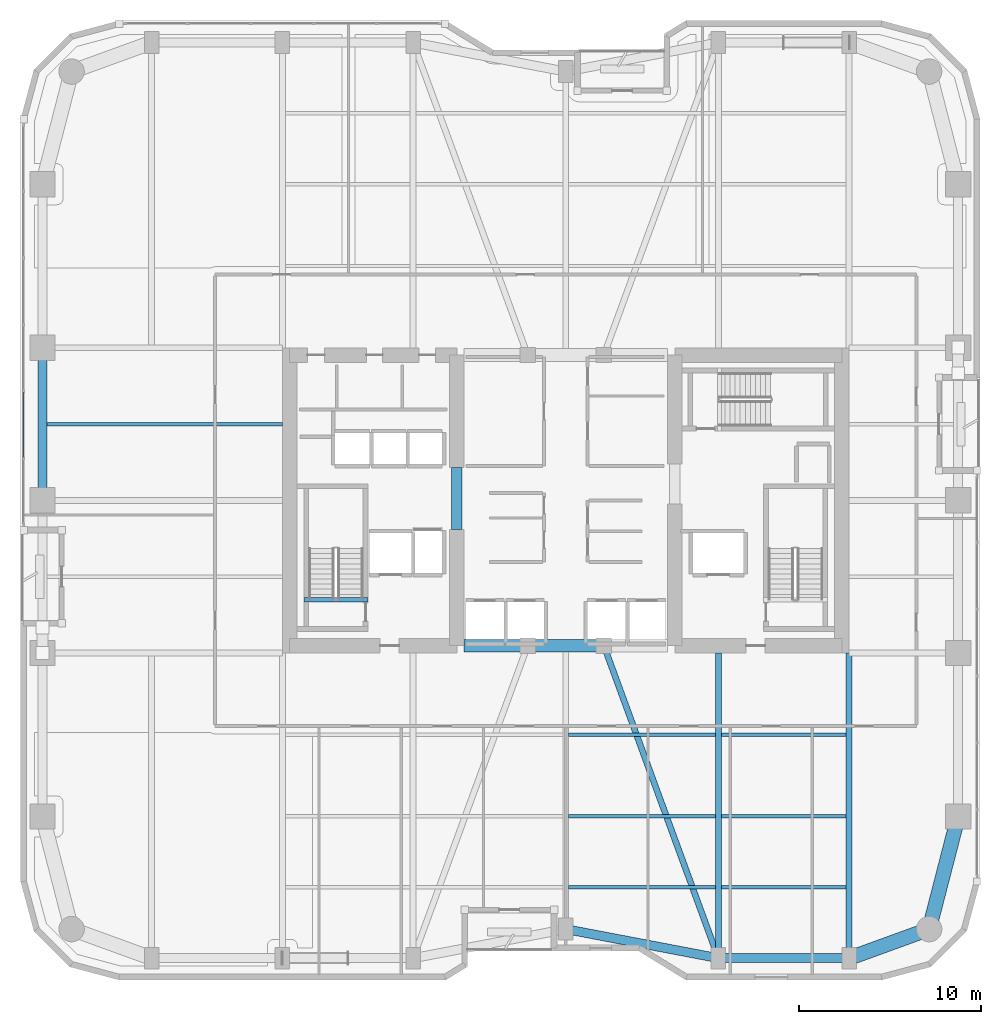
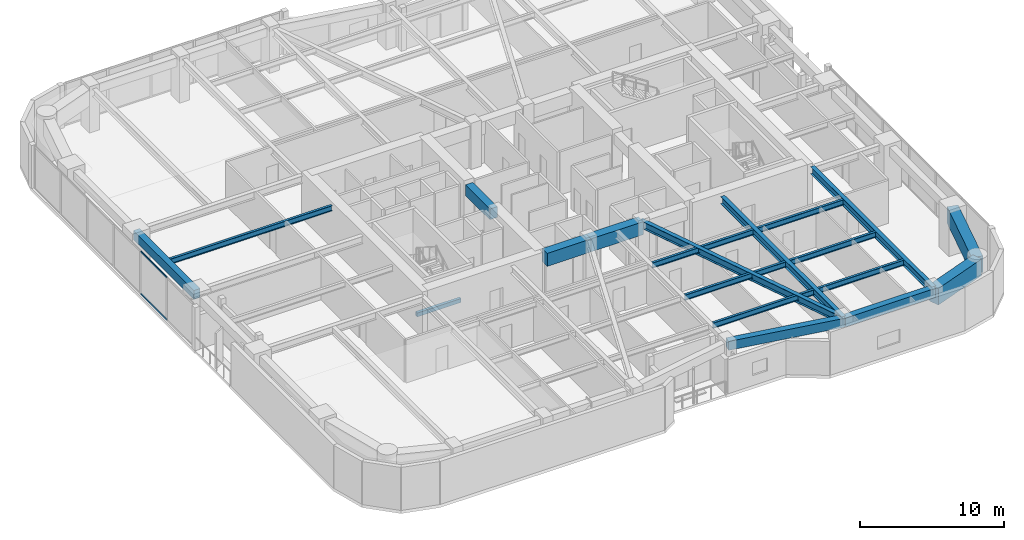
# One storey, part 3 of 24: 19 beams, 2 members, 1 element without a shape of its own.
"""IFC4 building model written with IfcOpenShell, lengths in metres."""

from ifc_helpers import new_model, si_unit, direction, frame, origin, origin_2d, place, context, subcontext, project, spatial, rectangle, hollow_rectangle, i_section, extrude, material, layer, layer_set, material_profile, profile_set, type_object, element, aggregate, save


model = new_model("IFC4")

# Units and contexts
model_context = context("Model", 3, precision=1e-05, world=origin(), true_north=direction((0.0, 1.0)))
body_context = subcontext(model_context, "Body", "Model", "MODEL_VIEW")
ifc_project = project(units=[si_unit("LENGTHUNIT", "METRE"), si_unit("AREAUNIT", "SQUARE_METRE"), si_unit("VOLUMEUNIT", "CUBIC_METRE"), si_unit("PLANEANGLEUNIT", "RADIAN"), si_unit("MASSUNIT", "GRAM", prefix="KILO")], contexts=[model_context])

# Site, building, storey
site_placement = place(None, origin())
site = spatial("IfcSite", under=ifc_project, at=site_placement, CompositionType="ELEMENT")
building_placement = place(site_placement, origin())
building = spatial("IfcBuilding", under=site, at=building_placement, Name="Kiyonajd Concourse Tower", CompositionType="ELEMENT")
storey_placement = place(building_placement, frame((0.0, 0.0, 117.0)))
storey = spatial("IfcBuildingStorey", under=building, at=storey_placement, Name="L30", CompositionType="ELEMENT", Elevation=117.0)

# Beams
ifc_material_1 = material(Name="Concrete C70/85", Category="concrete")
ifc_material_profile_1 = material_profile(ifc_material_1, rectangle(XDim=0.699951171875, YDim=1.10009765625, at=origin_2d()), Name="RCBM-700x1100")
ifc_profile_set_1 = profile_set([ifc_material_profile_1], Name="Concrete C70/85")
beam_type_1 = type_object("IfcBeamType", Name="BM-COUP-1100", PredefinedType="LINTEL", material=ifc_profile_set_1)
beam_1_placement = place(storey_placement, frame((42.39990234375, 28.0, 3.090087890625), z_axis=(1.0, 0.0, 0.0), x_axis=(0.0, 1.0, 0.0)))
element("IfcBeam", 1, at=beam_1_placement, inside=storey, type_object=beam_type_1, Name="L30 Core Coupling Beam S1", PredefinedType="LINTEL", context=body_context, shape_type="SweptSolid", body=[
    extrude(rectangle(XDim=0.699951171875, YDim=1.10009765625, at=origin_2d()), origin(), (0.0, 0.0, 1.0), 3.5),
])
beam_2_placement = place(storey_placement, frame((45.89990234375, 28.0, 3.090087890625), z_axis=(1.0, 0.0, 0.0), x_axis=(0.0, 1.0, 0.0)))
element("IfcBeam", 2, at=beam_2_placement, inside=storey, type_object=beam_type_1, Name="L30 Core Coupling Beam S2", PredefinedType="LINTEL", context=body_context, shape_type="SweptSolid", body=[
    extrude(rectangle(XDim=0.699951171875, YDim=1.10009765625, at=origin_2d()), origin(), (0.0, 0.0, 1.0), 4.2001953125),
])
ifc_material_2 = material(Name="Concrete C60/75", Category="concrete")
ifc_material_profile_2 = material_profile(ifc_material_2, rectangle(XDim=0.60009765625, YDim=0.89990234375, at=origin_2d()), Name="RCBM-600x900")
ifc_profile_set_2 = profile_set([ifc_material_profile_2], Name="Concrete C60/75")
beam_type_2 = type_object("IfcBeamType", Name="BM-COUP-900", PredefinedType="LINTEL", material=ifc_profile_set_2)
beam_3_placement = place(storey_placement, frame((42.0, 34.39990234375, 3.090087890625), z_axis=(0.0, 1.0, 0.0), x_axis=(-1.0, 0.0, 0.0)))
element("IfcBeam", 3, at=beam_3_placement, inside=storey, type_object=beam_type_2, Name="L30 West Core Throat Coupling Lintel", PredefinedType="LINTEL", context=body_context, shape_type="SweptSolid", body=[
    extrude(rectangle(XDim=0.60009765625, YDim=0.89990234375, at=origin_2d()), origin(), (0.0, 0.0, 1.0), 3.400146484375),
])
ifc_material_3 = material(Name="Steel ASTM A992 Grade 50", Category="steel")
ifc_material_profile_3 = material_profile(ifc_material_3, i_section(OverallWidth=0.19189453125, OverallDepth=0.462890625, WebThickness=0.010498046875, FlangeThickness=0.017578125, at=origin_2d()), Name="W460X89")
ifc_profile_set_3 = profile_set([ifc_material_profile_3], Name="Steel ASTM A992 Grade 50")
beam_type_3 = type_object("IfcBeamType", Name="BM-JST-460B", PredefinedType="JOIST", material=ifc_profile_set_3)
beam_4_placement = place(storey_placement, frame((48.16357421875, 14.699951171875, 3.408447265625), z_axis=(1.0, 0.0, 0.0), x_axis=(0.0, 1.0, 0.0)))
element("IfcBeam", 4, at=beam_4_placement, inside=storey, type_object=beam_type_3, Name="L30 Secondary Floor Joist", PredefinedType="JOIST", context=body_context, shape_type="SweptSolid", body=[
    extrude(i_section(OverallWidth=0.19189453125, OverallDepth=0.462890625, WebThickness=0.010498046875, FlangeThickness=0.017578125, at=origin_2d()), origin(), (0.0, 0.0, 1.0), 8.072998046875),
])
beam_5_placement = place(storey_placement, frame((56.5634765625, 14.699951171875, 3.408447265625), z_axis=(1.0, 0.0, 0.0), x_axis=(0.0, 1.0, 0.0)))
element("IfcBeam", 5, at=beam_5_placement, inside=storey, type_object=beam_type_3, Name="L30 Secondary Floor Joist", PredefinedType="JOIST", context=body_context, shape_type="SweptSolid", body=[
    extrude(i_section(OverallWidth=0.19189453125, OverallDepth=0.462890625, WebThickness=0.010498046875, FlangeThickness=0.017578125, at=origin_2d()), origin(), (0.0, 0.0, 1.0), 6.873046875),
])
beam_6_placement = place(storey_placement, frame((48.16357421875, 18.60009765625, 3.408447265625), z_axis=(1.0, 0.0, 0.0), x_axis=(0.0, 1.0, 0.0)))
element("IfcBeam", 6, at=beam_6_placement, inside=storey, type_object=beam_type_3, Name="L30 Secondary Floor Joist", PredefinedType="JOIST", context=body_context, shape_type="SweptSolid", body=[
    extrude(i_section(OverallWidth=0.19189453125, OverallDepth=0.462890625, WebThickness=0.010498046875, FlangeThickness=0.017578125, at=origin_2d()), origin(), (0.0, 0.0, 1.0), 8.072998046875),
])
beam_7_placement = place(storey_placement, frame((56.5634765625, 18.60009765625, 3.408447265625), z_axis=(1.0, 0.0, 0.0), x_axis=(0.0, 1.0, 0.0)))
element("IfcBeam", 7, at=beam_7_placement, inside=storey, type_object=beam_type_3, Name="L30 Secondary Floor Joist", PredefinedType="JOIST", context=body_context, shape_type="SweptSolid", body=[
    extrude(i_section(OverallWidth=0.19189453125, OverallDepth=0.462890625, WebThickness=0.010498046875, FlangeThickness=0.017578125, at=origin_2d()), origin(), (0.0, 0.0, 1.0), 6.873046875),
])
beam_8_placement = place(storey_placement, frame((48.16357421875, 23.10009765625, 3.408447265625), z_axis=(1.0, 0.0, 0.0), x_axis=(0.0, 1.0, 0.0)))
element("IfcBeam", 8, at=beam_8_placement, inside=storey, type_object=beam_type_3, Name="L30 Secondary Floor Joist", PredefinedType="JOIST", context=body_context, shape_type="SweptSolid", body=[
    extrude(i_section(OverallWidth=0.19189453125, OverallDepth=0.462890625, WebThickness=0.010498046875, FlangeThickness=0.017578125, at=origin_2d()), origin(), (0.0, 0.0, 1.0), 8.072998046875),
])
beam_9_placement = place(storey_placement, frame((56.5634765625, 23.10009765625, 3.408447265625), z_axis=(1.0, 0.0, 0.0), x_axis=(0.0, 1.0, 0.0)))
element("IfcBeam", 9, at=beam_9_placement, inside=storey, type_object=beam_type_3, Name="L30 Secondary Floor Joist", PredefinedType="JOIST", context=body_context, shape_type="SweptSolid", body=[
    extrude(i_section(OverallWidth=0.19189453125, OverallDepth=0.462890625, WebThickness=0.010498046875, FlangeThickness=0.017578125, at=origin_2d()), origin(), (0.0, 0.0, 1.0), 6.873046875),
])
beam_10_placement = place(storey_placement, frame((19.449951171875, 40.199951171875, 3.408447265625), z_axis=(1.0, 0.0, 0.0), x_axis=(0.0, 1.0, 0.0)))
element("IfcBeam", 10, at=beam_10_placement, inside=storey, type_object=beam_type_3, Name="L30 West Secondary Floor Joist", PredefinedType="JOIST", context=body_context, shape_type="SweptSolid", body=[
    extrude(i_section(OverallWidth=0.19189453125, OverallDepth=0.462890625, WebThickness=0.010498046875, FlangeThickness=0.017578125, at=origin_2d()), origin(), (0.0, 0.0, 1.0), 12.949951171875),
])
ifc_material_4 = material(Name="Concrete C50/60", Category="concrete")
ifc_material_profile_4 = material_profile(ifc_material_4, rectangle(XDim=0.239990234375, YDim=0.320068359375, at=origin_2d()), Name="RCBM-240x320")
ifc_profile_set_4 = profile_set([ifc_material_profile_4], Name="Concrete C50/60")
beam_type_4 = type_object("IfcBeamType", Name="BM-LNT-250", PredefinedType="LINTEL", material=ifc_profile_set_4)
beam_11_placement = place(storey_placement, frame((33.590087890625, 30.530029296875, -0.159912109375), z_axis=(1.0, 0.0, 0.0), x_axis=(0.0, 1.0, 0.0)))
element("IfcBeam", 11, at=beam_11_placement, inside=storey, type_object=beam_type_4, Name="L30 Stair ST1 Threshold Support Beam", PredefinedType="LINTEL", context=body_context, shape_type="SweptSolid", body=[
    extrude(rectangle(XDim=0.239990234375, YDim=0.320068359375, at=origin_2d()), origin(), (0.0, 0.0, 1.0), 3.52001953125),
])
ifc_material_5 = material(Name="Precast concrete C50/60", Category="concrete")
ifc_material_profile_5 = material_profile(ifc_material_5, rectangle(XDim=0.5, YDim=0.75, at=origin_2d()), Name="RCBM-500x750")
ifc_profile_set_5 = profile_set([ifc_material_profile_5], Name="Precast concrete C50/60")
beam_type_5 = type_object("IfcBeamType", Name="BM-SPAN-RC", PredefinedType="SPANDREL", material=ifc_profile_set_5)
beam_12_placement = place(storey_placement, frame((48.0, 12.39990234375, 3.264892578125), z_axis=(0.982341315253, -0.187097675953, 0.0), x_axis=(0.187097675953, 0.982341315253, 0.0)))
element("IfcBeam", 12, at=beam_12_placement, inside=storey, type_object=beam_type_5, Name="L30 Perimeter Bundled Tube Spandrel", PredefinedType="SPANDREL", context=body_context, shape_type="SweptSolid", body=[
    extrude(rectangle(XDim=0.5, YDim=0.75, at=origin_2d()), origin(), (0.0, 0.0, 1.0), 8.55078125),
])
beam_13_placement = place(storey_placement, frame((56.39990234375, 10.800048828125, 3.264892578125), z_axis=(1.0, 0.0, 0.0), x_axis=(0.0, 1.0, 0.0)))
element("IfcBeam", 13, at=beam_13_placement, inside=storey, type_object=beam_type_5, Name="L30 Perimeter Bundled Tube Spandrel", PredefinedType="SPANDREL", context=body_context, shape_type="SweptSolid", body=[
    extrude(rectangle(XDim=0.5, YDim=0.75, at=origin_2d()), origin(), (0.0, 0.0, 1.0), 7.2001953125),
])
beam_14_placement = place(storey_placement, frame((19.199951171875, 44.39990234375, 3.264892578125), z_axis=(0.0, -1.0, 0.0), x_axis=(1.0, 0.0, 0.0)))
element("IfcBeam", 14, at=beam_14_placement, inside=storey, type_object=beam_type_5, Name="L30 Perimeter Bundled Tube Spandrel", PredefinedType="SPANDREL", context=body_context, shape_type="SweptSolid", body=[
    extrude(rectangle(XDim=0.5, YDim=0.75, at=origin_2d()), origin(), (0.0, 0.0, 1.0), 8.39990234375),
])
ifc_material_profile_6 = material_profile(ifc_material_3, i_section(OverallWidth=0.326904296875, OverallDepth=0.6220703125, WebThickness=0.015380859375, FlangeThickness=0.0244140625, at=origin_2d()), Name="W610X195")
ifc_profile_set_6 = profile_set([ifc_material_profile_6], Name="Steel ASTM A992 Grade 50")
beam_type_6 = type_object("IfcBeamType", Name="BM-TWR-610A", PredefinedType="BEAM", material=ifc_profile_set_6)
beam_15_placement = place(storey_placement, frame((50.10009765625, 28.0, 3.3291015625), z_axis=(0.343925269715, -0.938997022813, 0.0), x_axis=(0.938997022813, 0.343925269715, 0.0)))
element("IfcBeam", 15, at=beam_15_placement, inside=storey, type_object=beam_type_6, Name="L30 Core Tie Girder", PredefinedType="BEAM", context=body_context, shape_type="SweptSolid", body=[
    extrude(i_section(OverallWidth=0.326904296875, OverallDepth=0.6220703125, WebThickness=0.015380859375, FlangeThickness=0.0244140625, at=origin_2d()), origin(), (0.0, 0.0, 1.0), 18.3173828125),
])
for number, where, z_axis, x_axis, name in (
    (16, (56.39990234375, 10.800048828125, 3.3291015625), (0.0, 1.0, 0.0), (-1.0, 0.0, 0.0), "L30 South Lease Girder"),
    (17, (63.60009765625, 10.800048828125, 3.3291015625), (0.0, 1.0, 0.0), (-1.0, 0.0, 0.0), "L30 South Lease Girder"),
):
    element("IfcBeam", number, at=place(storey_placement, frame(where, z_axis=z_axis, x_axis=x_axis)), inside=storey, type_object=beam_type_6, Name=name, PredefinedType="BEAM", context=body_context, shape_type="SweptSolid", body=[
        extrude(i_section(OverallWidth=0.326904296875, OverallDepth=0.6220703125, WebThickness=0.015380859375, FlangeThickness=0.0244140625, at=origin_2d()), origin(), (0.0, 0.0, 1.0), 16.800048828125),
    ])
ifc_material_profile_7 = material_profile(ifc_material_2, rectangle(XDim=0.800048828125, YDim=1.39990234375, at=origin_2d()), Name="RCBM-800x1400")
ifc_profile_set_7 = profile_set([ifc_material_profile_7], Name="Concrete C60/75")
beam_type_7 = type_object("IfcBeamType", Name="BM-XFER-RC", PredefinedType="BEAM", material=ifc_profile_set_7)
beam_16_placement = place(storey_placement, frame((63.60009765625, 10.800048828125, 2.93994140625), z_axis=(0.939801036019, 0.341722127901, 0.0), x_axis=(-0.341722127901, 0.939801036019, 0.0)))
element("IfcBeam", 18, at=beam_16_placement, inside=storey, type_object=beam_type_7, Name="L30 Perimeter Bundled Tube Spandrel", PredefinedType="BEAM", context=body_context, shape_type="SweptSolid", body=[
    extrude(rectangle(XDim=0.800048828125, YDim=1.39990234375, at=origin_2d()), origin(), (0.0, 0.0, 1.0), 4.681640625),
])
beam_17_placement = place(storey_placement, frame((68.0, 12.39990234375, 2.93994140625), z_axis=(0.249884937687, 0.968275538221, 0.0), x_axis=(-0.968275538221, 0.249884937687, 0.0)))
element("IfcBeam", 19, at=beam_17_placement, inside=storey, type_object=beam_type_7, Name="L30 Perimeter Bundled Tube Spandrel", PredefinedType="BEAM", context=body_context, shape_type="SweptSolid", body=[
    extrude(rectangle(XDim=0.800048828125, YDim=1.39990234375, at=origin_2d()), origin(), (0.0, 0.0, 1.0), 6.4033203125),
])

# Curtain wall, members
ifc_material_6 = material(Name="Thermally Broken Anodised Aluminium", Category="aluminium")
ifc_layer = layer(ifc_material_6, 0.179931640625)
ifc_layer_set = layer_set([ifc_layer], Name="Thermally Broken Anodised Aluminium")
curtain_wall_type = type_object("IfcCurtainWallType", Name="CW-SYS-03", PredefinedType="NOTDEFINED", material=ifc_layer_set)
curtain_wall_placement = place(storey_placement, origin())
curtain_wall = element("IfcCurtainWall", 20, at=curtain_wall_placement, inside=storey, type_object=curtain_wall_type, Name="L30 Unitised Curtain Wall CW3", PredefinedType="NOTDEFINED")
ifc_material_profile_8 = material_profile(ifc_material_6, hollow_rectangle(XDim=0.06494140625, YDim=0.139892578125, WallThickness=0.00390625, at=origin_2d()), Name="TRAN-65x140")
ifc_profile_set_8 = profile_set([ifc_material_profile_8], Name="Thermally Broken Anodised Aluminium")
member_type = type_object("IfcMemberType", Name="MB-CW-TRAN1", PredefinedType="USERDEFINED", material=ifc_profile_set_8)
member_1_placement = place(storey_placement, frame((18.159912109375, 38.355712890625, 0.032470703125), z_axis=(0.0, 1.0, 0.0), x_axis=(-1.0, 0.0, 0.0)))
member_1 = element("IfcMember", 21, at=member_1_placement, type_object=member_type, Name="CW3 transom 2.1", ObjectType="TRANSOM", PredefinedType="USERDEFINED", context=body_context, shape_type="SweptSolid", body=[
    extrude(hollow_rectangle(XDim=0.06494140625, YDim=0.139892578125, WallThickness=0.00390625, at=origin_2d()), origin(), (0.0, 0.0, 1.0), 3.608154296875),
])
member_2_placement = place(storey_placement, frame((18.159912109375, 38.355712890625, 3.607421875), z_axis=(0.0, 1.0, 0.0), x_axis=(-1.0, 0.0, 0.0)))
member_2 = element("IfcMember", 22, at=member_2_placement, type_object=member_type, Name="CW3 transom 2.2", ObjectType="TRANSOM", PredefinedType="USERDEFINED", context=body_context, shape_type="SweptSolid", body=[
    extrude(hollow_rectangle(XDim=0.06494140625, YDim=0.139892578125, WallThickness=0.00390625, at=origin_2d()), origin(), (0.0, 0.0, 1.0), 3.608154296875),
])
aggregate(curtain_wall, [member_1, member_2])

save(model, "model.ifc")
